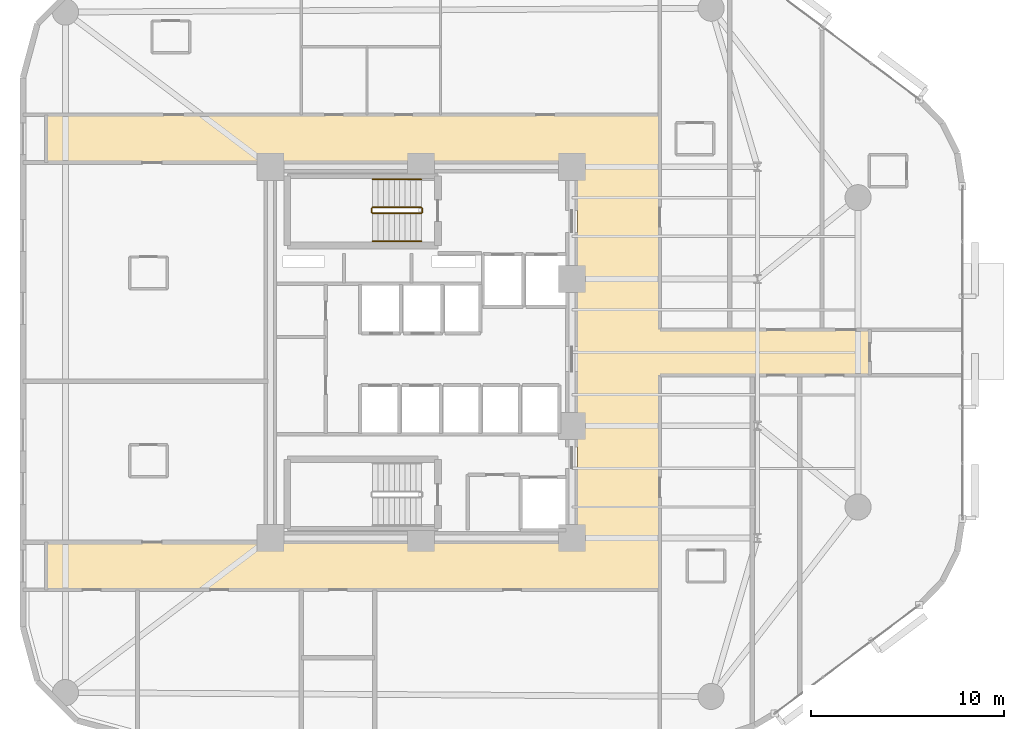
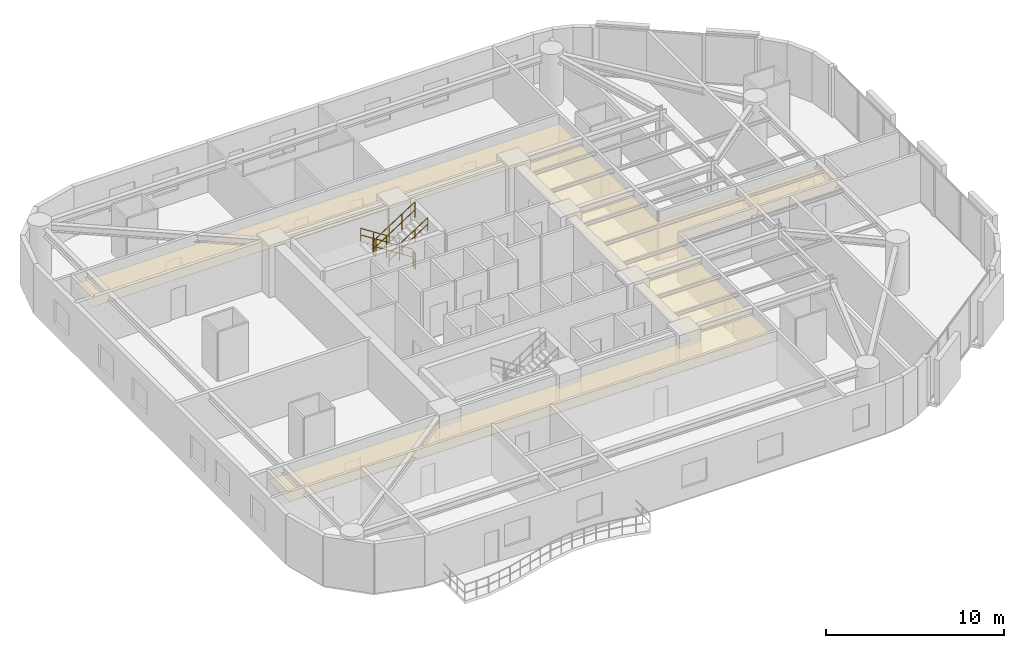
# One storey, part 15 of 16: 6 railings, 1 covering.
"""IFC4 building model written with IfcOpenShell, lengths in metres."""

from ifc_helpers import new_model, si_unit, direction, frame, origin, origin_2d, place, context, subcontext, project, spatial, polyline, circle, outline, extrude, material, layer, layer_set, type_object, element, save


model = new_model("IFC4")

# Units and contexts
model_context = context("Model", 3, precision=1e-05, world=origin(), true_north=direction((0.0, 1.0)))
body_context = subcontext(model_context, "Body", "Model", "MODEL_VIEW")
ifc_project = project(units=[si_unit("LENGTHUNIT", "METRE"), si_unit("AREAUNIT", "SQUARE_METRE"), si_unit("VOLUMEUNIT", "CUBIC_METRE"), si_unit("PLANEANGLEUNIT", "RADIAN"), si_unit("MASSUNIT", "GRAM", prefix="KILO")], contexts=[model_context])

# Site, building, storey
site_placement = place(None, origin())
site = spatial("IfcSite", under=ifc_project, at=site_placement, CompositionType="ELEMENT")
building_placement = place(site_placement, origin())
building = spatial("IfcBuilding", under=site, at=building_placement, Name="An Khanh Terracotta Commons", CompositionType="ELEMENT")
storey_placement = place(building_placement, frame((0.0, 0.0, 97.10009765625)))
storey = spatial("IfcBuildingStorey", under=building, at=storey_placement, Name="L25", CompositionType="ELEMENT", Elevation=97.10009765625)

# Covering
ifc_material_1 = material(Name="Perforated Mineral-Fibre Acoustic Tile")
ifc_layer = layer(ifc_material_1, 0.02001953125, Name="Perforated Mineral-Fibre Acoustic Tile")
ifc_layer_set = layer_set([ifc_layer], Name="Perforated Mineral-Fibre Acoustic Tile")
covering_type = type_object("IfcCoveringType", Name="CEIL-ACOUSTIC-18", PredefinedType="CEILING", material=ifc_layer_set)
covering_placement = place(storey_placement, frame((0.0, 0.0, 2.64990234375)))
element("IfcCovering", 1, at=covering_placement, inside=storey, type_object=covering_type, Name="L25 Corridor Ceiling", PredefinedType="CEILING", context=body_context, shape_type="SweptSolid", body=[
    extrude(outline(polyline([(10.0, 11.719970703125), (10.0, 14.179931640625), (37.5, 14.179931640625), (37.5, 33.820068359375), (10.0, 33.820068359375), (10.0, 36.280029296875), (37.5, 36.280029296875), (41.75, 36.280029296875), (41.75, 33.820068359375), (41.75, 25.179931640625), (52.60009765625, 25.179931640625), (52.60009765625, 22.820068359375), (41.75, 22.820068359375), (41.75, 14.179931640625), (41.75, 11.719970703125), (37.5, 11.719970703125), (10.0, 11.719970703125)])), origin(), (0.0, 0.0, 1.0), 0.02001953125),
])

# Railings
ifc_material_2 = material(Name="Brushed Stainless Steel 316", Category="steel")
railing_type_1 = type_object("IfcRailingType", Name="RAIL-HANDRAIL-900", PredefinedType="HANDRAIL", material=ifc_material_2)
railing_1_placement = place(storey_placement, frame((29.409912109375, 32.949951171875, 0.179931640625)))
element("IfcRailing", 2, at=railing_1_placement, inside=storey, type_object=railing_type_1, Name="L25 ST-01 stair handrail 1", PredefinedType="HANDRAIL", context=body_context, shape_type="SweptSolid", body=[
    extrude(circle(Radius=0.02392578125, at=origin_2d()), frame((0.0, 0.0, 0.8759765625), z_axis=(-0.841199657755, 0.0, 0.540724639528), x_axis=(0.0, -1.0, 0.0)), (0.0, 0.0, 1.0), 2.995849609375),
    extrude(circle(Radius=0.02392578125, at=origin_2d()), frame((0.0, 0.0, 0.42578125), z_axis=(-0.841199657755, 0.0, 0.540724639528), x_axis=(0.0, -1.0, 0.0)), (0.0, 0.0, 1.0), 2.995849609375),
    extrude(circle(Radius=0.02099609375, at=origin_2d()), origin(), (0.0, 0.0, 1.0), 0.851806640625),
    extrude(circle(Radius=0.02099609375, at=origin_2d()), frame((-0.840087890625, 0.0, 0.5400390625)), (0.0, 0.0, 1.0), 0.851806640625),
    extrude(circle(Radius=0.02099609375, at=origin_2d()), frame((-1.679931640625, 0.0, 1.079833984375)), (0.0, 0.0, 1.0), 0.851806640625),
    extrude(circle(Radius=0.02099609375, at=origin_2d()), frame((-2.52001953125, 0.0, 1.619873046875)), (0.0, 0.0, 1.0), 0.851806640625),
])
railing_2_placement = place(storey_placement, frame((26.889892578125, 29.75, 1.97998046875)))
element("IfcRailing", 3, at=railing_2_placement, inside=storey, type_object=railing_type_1, Name="L25 ST-01 stair handrail 2", PredefinedType="HANDRAIL", context=body_context, shape_type="SweptSolid", body=[
    extrude(circle(Radius=0.02392578125, at=origin_2d()), frame((0.0, 0.0, 0.8759765625), z_axis=(0.841199657755, 0.0, 0.540724639528), x_axis=(0.0, 1.0, 0.0)), (0.0, 0.0, 1.0), 2.995849609375),
    extrude(circle(Radius=0.02392578125, at=origin_2d()), frame((0.0, 0.0, 0.42578125), z_axis=(0.841199657755, 0.0, 0.540724639528), x_axis=(0.0, 1.0, 0.0)), (0.0, 0.0, 1.0), 2.995849609375),
    extrude(circle(Radius=0.02099609375, at=origin_2d()), origin(), (0.0, 0.0, 1.0), 0.851806640625),
    extrude(circle(Radius=0.02099609375, at=origin_2d()), frame((0.840087890625, 0.0, 0.5400390625)), (0.0, 0.0, 1.0), 0.851806640625),
    extrude(circle(Radius=0.02099609375, at=origin_2d()), frame((1.679931640625, 0.0, 1.079833984375)), (0.0, 0.0, 1.0), 0.851806640625),
    extrude(circle(Radius=0.02099609375, at=origin_2d()), frame((2.52001953125, 0.0, 1.619873046875)), (0.0, 0.0, 1.0), 0.851806640625),
])
ifc_material_3 = material(Name="Powder-Coated Steel S355J2", Category="steel")
railing_type_2 = type_object("IfcRailingType", Name="RAIL-STAIR-GUARD-1100", PredefinedType="BALUSTRADE", material=ifc_material_3)
railing_3_placement = place(storey_placement, frame((29.409912109375, 31.5, 0.179931640625)))
element("IfcRailing", 4, at=railing_3_placement, inside=storey, type_object=railing_type_2, Name="L25 ST-01 stair guard 1", PredefinedType="BALUSTRADE", context=body_context, shape_type="SweptSolid", body=[
    extrude(circle(Radius=0.02392578125, at=origin_2d()), frame((0.0, 0.0, 1.076171875), z_axis=(-0.841199657755, 0.0, 0.540724639528), x_axis=(0.0, -1.0, 0.0)), (0.0, 0.0, 1.0), 2.995849609375),
    extrude(circle(Radius=0.02392578125, at=origin_2d()), frame((0.0, 0.0, 0.52587890625), z_axis=(-0.841199657755, 0.0, 0.540724639528), x_axis=(0.0, -1.0, 0.0)), (0.0, 0.0, 1.0), 2.995849609375),
    extrude(circle(Radius=0.02099609375, at=origin_2d()), origin(), (0.0, 0.0, 1.0), 1.052001953125),
    extrude(circle(Radius=0.02099609375, at=origin_2d()), frame((-0.840087890625, 0.0, 0.5400390625)), (0.0, 0.0, 1.0), 1.052001953125),
    extrude(circle(Radius=0.02099609375, at=origin_2d()), frame((-1.679931640625, 0.0, 1.079833984375)), (0.0, 0.0, 1.0), 1.052001953125),
    extrude(circle(Radius=0.02099609375, at=origin_2d()), frame((-2.52001953125, 0.0, 1.619873046875)), (0.0, 0.0, 1.0), 1.052001953125),
])
railing_4_placement = place(storey_placement, frame((26.840087890625, 31.449951171875, 1.7998046875)))
element("IfcRailing", 5, at=railing_4_placement, inside=storey, type_object=railing_type_2, Name="L25 ST-01 stair guard 2", PredefinedType="BALUSTRADE", context=body_context, shape_type="SweptSolid", body=[
    extrude(circle(Radius=0.02392578125, at=origin_2d()), frame((0.0, 0.0, 1.076171875), z_axis=(0.0, -1.0, 0.0), x_axis=(1.0, 0.0, 0.0)), (0.0, 0.0, 1.0), 0.199951171875),
    extrude(circle(Radius=0.02392578125, at=origin_2d()), frame((0.0, 0.0, 0.52587890625), z_axis=(0.0, -1.0, 0.0), x_axis=(1.0, 0.0, 0.0)), (0.0, 0.0, 1.0), 0.199951171875),
    extrude(circle(Radius=0.02099609375, at=origin_2d()), origin(), (0.0, 0.0, 1.0), 1.052001953125),
    extrude(circle(Radius=0.02099609375, at=origin_2d()), frame((0.0, -0.199951171875, 0.0)), (0.0, 0.0, 1.0), 1.052001953125),
])
railing_5_placement = place(storey_placement, frame((26.889892578125, 31.199951171875, 1.97998046875)))
element("IfcRailing", 6, at=railing_5_placement, inside=storey, type_object=railing_type_2, Name="L25 ST-01 stair guard 3", PredefinedType="BALUSTRADE", context=body_context, shape_type="SweptSolid", body=[
    extrude(circle(Radius=0.02392578125, at=origin_2d()), frame((0.0, 0.0, 1.076171875), z_axis=(0.841199657755, 0.0, 0.540724639528), x_axis=(0.0, 1.0, 0.0)), (0.0, 0.0, 1.0), 2.995849609375),
    extrude(circle(Radius=0.02392578125, at=origin_2d()), frame((0.0, 0.0, 0.52587890625), z_axis=(0.841199657755, 0.0, 0.540724639528), x_axis=(0.0, 1.0, 0.0)), (0.0, 0.0, 1.0), 2.995849609375),
    extrude(circle(Radius=0.02099609375, at=origin_2d()), origin(), (0.0, 0.0, 1.0), 1.052001953125),
    extrude(circle(Radius=0.02099609375, at=origin_2d()), frame((0.840087890625, 0.0, 0.5400390625)), (0.0, 0.0, 1.0), 1.052001953125),
    extrude(circle(Radius=0.02099609375, at=origin_2d()), frame((1.679931640625, 0.0, 1.079833984375)), (0.0, 0.0, 1.0), 1.052001953125),
    extrude(circle(Radius=0.02099609375, at=origin_2d()), frame((2.52001953125, 0.0, 1.619873046875)), (0.0, 0.0, 1.0), 1.052001953125),
])
railing_6_placement = place(storey_placement, frame((29.4599609375, 31.449951171875, 0.0)))
element("IfcRailing", 7, at=railing_6_placement, inside=storey, type_object=railing_type_2, Name="L25 ST-01 stair guard 4", PredefinedType="BALUSTRADE", context=body_context, shape_type="SweptSolid", body=[
    extrude(circle(Radius=0.02392578125, at=origin_2d()), frame((0.0, 0.0, 1.076171875), z_axis=(0.0, -1.0, 0.0), x_axis=(1.0, 0.0, 0.0)), (0.0, 0.0, 1.0), 0.199951171875),
    extrude(circle(Radius=0.02392578125, at=origin_2d()), frame((0.0, 0.0, 0.52587890625), z_axis=(0.0, -1.0, 0.0), x_axis=(1.0, 0.0, 0.0)), (0.0, 0.0, 1.0), 0.199951171875),
    extrude(circle(Radius=0.02099609375, at=origin_2d()), origin(), (0.0, 0.0, 1.0), 1.052001953125),
    extrude(circle(Radius=0.02099609375, at=origin_2d()), frame((0.0, -0.199951171875, 0.0)), (0.0, 0.0, 1.0), 1.052001953125),
])

save(model, "model.ifc")
